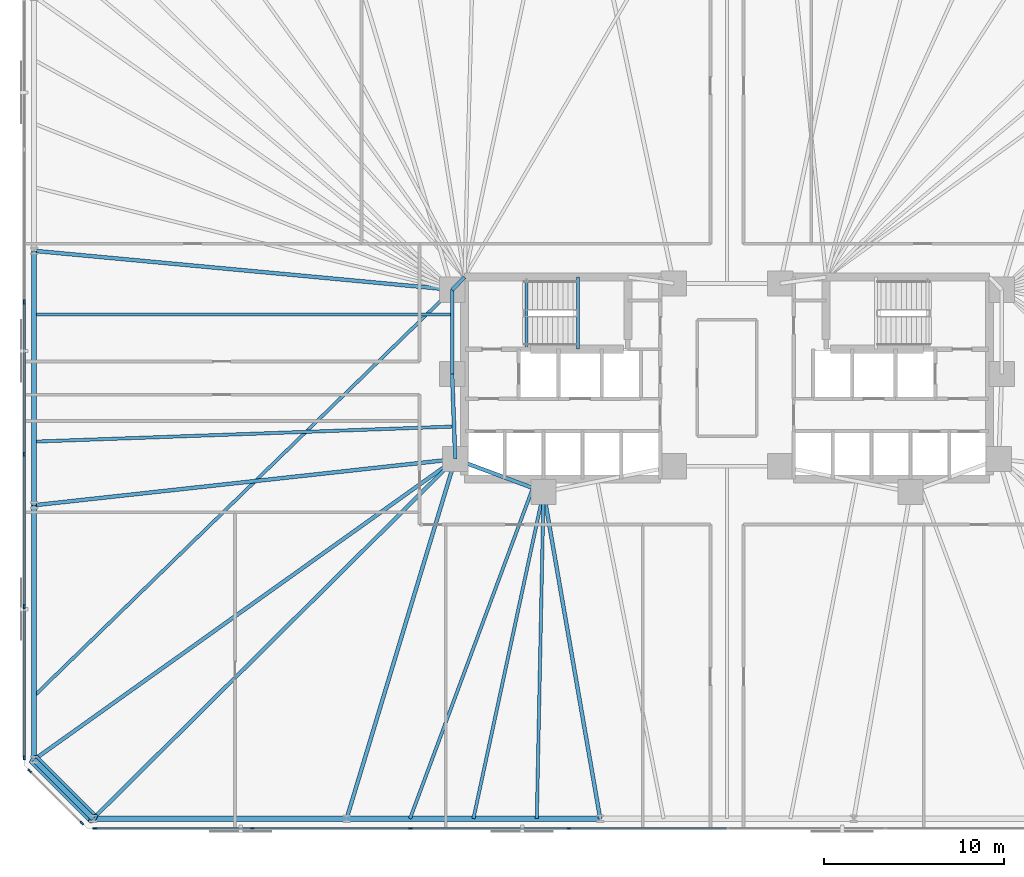
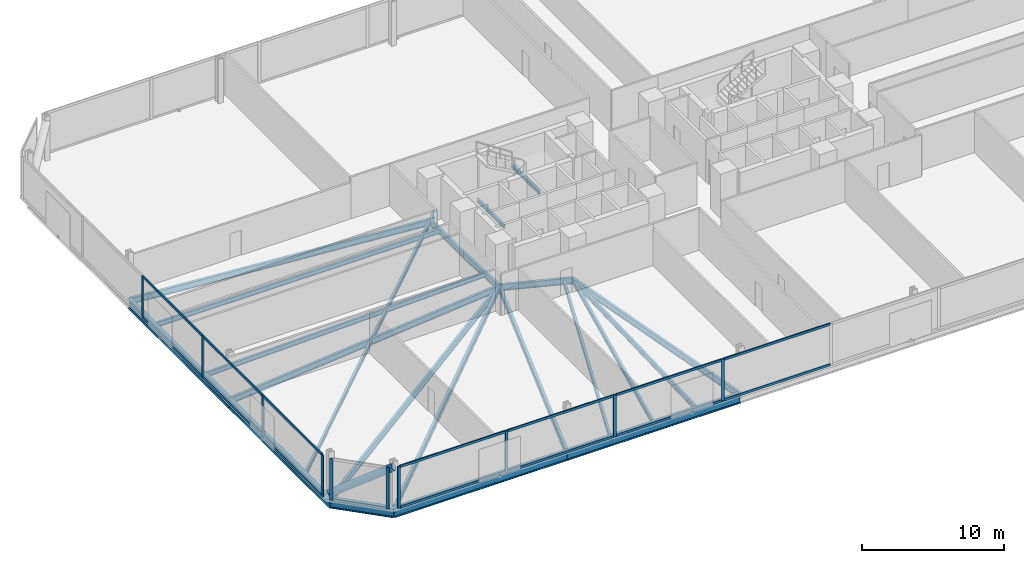
# One storey, part 6 of 17: 25 members, 23 beams, 3 elements without a shape of their own.
"""IFC4 building model written with IfcOpenShell, lengths in metres."""

from ifc_helpers import new_model, si_unit, direction, frame, origin, origin_2d, place, context, subcontext, project, spatial, rectangle, hollow_circle, i_section, extrude, material, material_profile, profile_set, type_object, element, aggregate, save


model = new_model("IFC4")

# Units and contexts
model_context = context("Model", 3, precision=1e-05, world=origin(), true_north=direction((0.0, 1.0)))
body_context = subcontext(model_context, "Body", "Model", "MODEL_VIEW")
ifc_project = project(units=[si_unit("LENGTHUNIT", "METRE"), si_unit("AREAUNIT", "SQUARE_METRE"), si_unit("VOLUMEUNIT", "CUBIC_METRE"), si_unit("PLANEANGLEUNIT", "RADIAN"), si_unit("MASSUNIT", "GRAM", prefix="KILO")], contexts=[model_context])

# Site, building, storey
site_placement = place(None, origin())
site = spatial("IfcSite", under=ifc_project, at=site_placement, CompositionType="ELEMENT")
building_placement = place(site_placement, origin())
building = spatial("IfcBuilding", under=site, at=building_placement, Name="Menara Jurai Vektor", CompositionType="ELEMENT")
storey_placement = place(building_placement, frame((0.0, 0.0, 29.39990234375)))
storey = spatial("IfcBuildingStorey", under=building, at=storey_placement, Name="L06", CompositionType="ELEMENT", Elevation=29.39990234375)

# Curtain wall, members
ifc_material_1 = material(Name="Anodised Pale Aluminium & Low-E Double Glazing", Category="aluminium")
curtain_wall_type = type_object("IfcCurtainWallType", Name="CW-BLK1", PredefinedType="NOTDEFINED", material=ifc_material_1)
curtain_wall_1_placement = place(storey_placement, origin())
curtain_wall_1 = element("IfcCurtainWall", 1, at=curtain_wall_1_placement, inside=storey, type_object=curtain_wall_type, Name="Unitised Curtain Wall L06 F01", PredefinedType="NOTDEFINED")
ifc_material_2 = material(Name="Anodised Pale Aluminium Mullion", Category="aluminium")
ifc_material_profile_1 = material_profile(ifc_material_2, rectangle(XDim=0.094970703125, YDim=0.239990234375, at=origin_2d()), Name="ALU MUL 95x240")
ifc_profile_set_1 = profile_set([ifc_material_profile_1], Name="Anodised Pale Aluminium Mullion")
member_type_1 = type_object("IfcMemberType", Name="CW-BLK1-MUL", PredefinedType="MULLION", material=ifc_profile_set_1)
member_1_placement = place(storey_placement, frame((-35.072509765625, -25.0, 0.0), z_axis=(0.0, 0.0, 1.0), x_axis=(0.0, 1.0, 0.0)))
member_1 = element("IfcMember", 2, at=member_1_placement, type_object=member_type_1, Name="CW-01 mullion 1", PredefinedType="MULLION", context=body_context, shape_type="SweptSolid", body=[
    extrude(rectangle(XDim=0.094970703125, YDim=0.239990234375, at=origin_2d()), origin(), (0.0, 0.0, 1.0), 3.5751953125),
])
member_2_placement = place(storey_placement, frame((-26.340087890625, -25.0, 0.0), z_axis=(0.0, 0.0, 1.0), x_axis=(0.0, 1.0, 0.0)))
member_2 = element("IfcMember", 3, at=member_2_placement, type_object=member_type_1, Name="CW-01 mullion 2", PredefinedType="MULLION", context=body_context, shape_type="SweptSolid", body=[
    extrude(rectangle(XDim=0.094970703125, YDim=0.239990234375, at=origin_2d()), origin(), (0.0, 0.0, 1.0), 3.5751953125),
])
member_3_placement = place(storey_placement, frame((-17.56005859375, -25.0, 0.0), z_axis=(0.0, 0.0, 1.0), x_axis=(0.0, 1.0, 0.0)))
member_3 = element("IfcMember", 4, at=member_3_placement, type_object=member_type_1, Name="CW-01 mullion 3", PredefinedType="MULLION", context=body_context, shape_type="SweptSolid", body=[
    extrude(rectangle(XDim=0.094970703125, YDim=0.239990234375, at=origin_2d()), origin(), (0.0, 0.0, 1.0), 3.5751953125),
])
member_4_placement = place(storey_placement, frame((-8.780029296875, -25.0, 0.0), z_axis=(0.0, 0.0, 1.0), x_axis=(0.0, 1.0, 0.0)))
member_4 = element("IfcMember", 5, at=member_4_placement, type_object=member_type_1, Name="CW-01 mullion 4", PredefinedType="MULLION", context=body_context, shape_type="SweptSolid", body=[
    extrude(rectangle(XDim=0.094970703125, YDim=0.239990234375, at=origin_2d()), origin(), (0.0, 0.0, 1.0), 3.5751953125),
])

curtain_wall_2_placement = place(storey_placement, origin())
curtain_wall_2 = element("IfcCurtainWall", 6, at=curtain_wall_2_placement, inside=storey, type_object=curtain_wall_type, Name="Unitised Curtain Wall L06 F07", PredefinedType="NOTDEFINED")
member_5_placement = place(storey_placement, frame((-39.0, 4.22412109375, 0.0), z_axis=(0.0, 0.0, 1.0), x_axis=(1.0, 0.0, 0.0)))
member_5 = element("IfcMember", 7, at=member_5_placement, type_object=member_type_1, Name="CW-01 mullion 3", PredefinedType="MULLION", context=body_context, shape_type="SweptSolid", body=[
    extrude(rectangle(XDim=0.094970703125, YDim=0.239990234375, at=origin_2d()), origin(), (0.0, 0.0, 1.0), 3.5751953125),
])
member_6_placement = place(storey_placement, frame((-39.0, -4.22412109375, 0.0), z_axis=(0.0, 0.0, 1.0), x_axis=(1.0, 0.0, 0.0)))
member_6 = element("IfcMember", 8, at=member_6_placement, type_object=member_type_1, Name="CW-01 mullion 4", PredefinedType="MULLION", context=body_context, shape_type="SweptSolid", body=[
    extrude(rectangle(XDim=0.094970703125, YDim=0.239990234375, at=origin_2d()), origin(), (0.0, 0.0, 1.0), 3.5751953125),
])
member_7_placement = place(storey_placement, frame((-39.0, -12.672119140625, 0.0), z_axis=(0.0, 0.0, 1.0), x_axis=(1.0, 0.0, 0.0)))
member_7 = element("IfcMember", 9, at=member_7_placement, type_object=member_type_1, Name="CW-01 mullion 5", PredefinedType="MULLION", context=body_context, shape_type="SweptSolid", body=[
    extrude(rectangle(XDim=0.094970703125, YDim=0.239990234375, at=origin_2d()), origin(), (0.0, 0.0, 1.0), 3.5751953125),
])
member_8_placement = place(storey_placement, frame((-39.0, -21.072509765625, 0.0), z_axis=(0.0, 0.0, 1.0), x_axis=(1.0, 0.0, 0.0)))
member_8 = element("IfcMember", 10, at=member_8_placement, type_object=member_type_1, Name="CW-01 mullion 6", PredefinedType="MULLION", context=body_context, shape_type="SweptSolid", body=[
    extrude(rectangle(XDim=0.094970703125, YDim=0.239990234375, at=origin_2d()), origin(), (0.0, 0.0, 1.0), 3.5751953125),
])

curtain_wall_3_placement = place(storey_placement, origin())
curtain_wall_3 = element("IfcCurtainWall", 11, at=curtain_wall_3_placement, inside=storey, type_object=curtain_wall_type, Name="Unitised Curtain Wall L06 F08", PredefinedType="NOTDEFINED")
member_9_placement = place(storey_placement, frame((-38.69775390625, -21.80224609375, 0.0), z_axis=(0.0, 0.0, 1.0), x_axis=(0.707106781187, 0.707106781187, 0.0)))
member_9 = element("IfcMember", 12, at=member_9_placement, type_object=member_type_1, Name="CW-01 mullion 1", PredefinedType="MULLION", context=body_context, shape_type="SweptSolid", body=[
    extrude(rectangle(XDim=0.094970703125, YDim=0.239990234375, at=origin_2d()), origin(), (0.0, 0.0, 1.0), 3.5751953125),
])
member_10_placement = place(storey_placement, frame((-35.80224609375, -24.69775390625, 0.0), z_axis=(0.0, 0.0, 1.0), x_axis=(0.707106781187, 0.707106781187, 0.0)))
member_10 = element("IfcMember", 13, at=member_10_placement, type_object=member_type_1, Name="CW-01 mullion 2", PredefinedType="MULLION", context=body_context, shape_type="SweptSolid", body=[
    extrude(rectangle(XDim=0.094970703125, YDim=0.239990234375, at=origin_2d()), origin(), (0.0, 0.0, 1.0), 3.5751953125),
])
aggregate(curtain_wall_3, [member_9, member_10])

# Member
ifc_material_3 = material(Name="Anodised Pale Aluminium Transom", Category="aluminium")
ifc_material_profile_2 = material_profile(ifc_material_3, rectangle(XDim=0.094970703125, YDim=0.199951171875, at=origin_2d()), Name="ALU TRN 95x200")
ifc_profile_set_2 = profile_set([ifc_material_profile_2], Name="Anodised Pale Aluminium Transom")
member_type_2 = type_object("IfcMemberType", Name="CW-BLK1-TRN", PredefinedType="USERDEFINED", material=ifc_profile_set_2)
member_11_placement = place(storey_placement, frame((-35.02490234375, -25.0, 0.047607421875), z_axis=(1.0, 0.0, 0.0), x_axis=(0.0, 1.0, 0.0)))
member_11 = element("IfcMember", 14, at=member_11_placement, type_object=member_type_2, Name="CW-01 transom 1.1", ObjectType="TRANSOM", PredefinedType="USERDEFINED", context=body_context, shape_type="SweptSolid", body=[
    extrude(rectangle(XDim=0.094970703125, YDim=0.199951171875, at=origin_2d()), origin(), (0.0, 0.0, 1.0), 8.637451171875),
])

member_12_placement = place(storey_placement, frame((-35.02490234375, -25.0, 3.527587890625), z_axis=(1.0, 0.0, 0.0), x_axis=(0.0, 1.0, 0.0)))
member_12 = element("IfcMember", 15, at=member_12_placement, type_object=member_type_2, Name="CW-01 transom 1.2", ObjectType="TRANSOM", PredefinedType="USERDEFINED", context=body_context, shape_type="SweptSolid", body=[
    extrude(rectangle(XDim=0.094970703125, YDim=0.199951171875, at=origin_2d()), origin(), (0.0, 0.0, 1.0), 8.637451171875),
])

member_13_placement = place(storey_placement, frame((-26.29248046875, -25.0, 0.047607421875), z_axis=(1.0, 0.0, 0.0), x_axis=(0.0, 1.0, 0.0)))
member_13 = element("IfcMember", 16, at=member_13_placement, type_object=member_type_2, Name="CW-01 transom 2.1", ObjectType="TRANSOM", PredefinedType="USERDEFINED", context=body_context, shape_type="SweptSolid", body=[
    extrude(rectangle(XDim=0.094970703125, YDim=0.199951171875, at=origin_2d()), origin(), (0.0, 0.0, 1.0), 8.68505859375),
])

member_14_placement = place(storey_placement, frame((-26.29248046875, -25.0, 3.527587890625), z_axis=(1.0, 0.0, 0.0), x_axis=(0.0, 1.0, 0.0)))
member_14 = element("IfcMember", 17, at=member_14_placement, type_object=member_type_2, Name="CW-01 transom 2.2", ObjectType="TRANSOM", PredefinedType="USERDEFINED", context=body_context, shape_type="SweptSolid", body=[
    extrude(rectangle(XDim=0.094970703125, YDim=0.199951171875, at=origin_2d()), origin(), (0.0, 0.0, 1.0), 8.68505859375),
])

member_15_placement = place(storey_placement, frame((-17.512451171875, -25.0, 0.047607421875), z_axis=(1.0, 0.0, 0.0), x_axis=(0.0, 1.0, 0.0)))
member_15 = element("IfcMember", 18, at=member_15_placement, type_object=member_type_2, Name="CW-01 transom 3.1", ObjectType="TRANSOM", PredefinedType="USERDEFINED", context=body_context, shape_type="SweptSolid", body=[
    extrude(rectangle(XDim=0.094970703125, YDim=0.199951171875, at=origin_2d()), origin(), (0.0, 0.0, 1.0), 8.68505859375),
])

member_16_placement = place(storey_placement, frame((-17.512451171875, -25.0, 3.527587890625), z_axis=(1.0, 0.0, 0.0), x_axis=(0.0, 1.0, 0.0)))
member_16 = element("IfcMember", 19, at=member_16_placement, type_object=member_type_2, Name="CW-01 transom 3.2", ObjectType="TRANSOM", PredefinedType="USERDEFINED", context=body_context, shape_type="SweptSolid", body=[
    extrude(rectangle(XDim=0.094970703125, YDim=0.199951171875, at=origin_2d()), origin(), (0.0, 0.0, 1.0), 8.68505859375),
])

member_17_placement = place(storey_placement, frame((-8.732421875, -25.0, 0.047607421875), z_axis=(1.0, 0.0, 0.0), x_axis=(0.0, 1.0, 0.0)))
member_17 = element("IfcMember", 20, at=member_17_placement, type_object=member_type_2, Name="CW-01 transom 4.1", ObjectType="TRANSOM", PredefinedType="USERDEFINED", context=body_context, shape_type="SweptSolid", body=[
    extrude(rectangle(XDim=0.094970703125, YDim=0.199951171875, at=origin_2d()), origin(), (0.0, 0.0, 1.0), 8.684814453125),
])

member_18_placement = place(storey_placement, frame((-8.732421875, -25.0, 3.527587890625), z_axis=(1.0, 0.0, 0.0), x_axis=(0.0, 1.0, 0.0)))
member_18 = element("IfcMember", 21, at=member_18_placement, type_object=member_type_2, Name="CW-01 transom 4.2", ObjectType="TRANSOM", PredefinedType="USERDEFINED", context=body_context, shape_type="SweptSolid", body=[
    extrude(rectangle(XDim=0.094970703125, YDim=0.199951171875, at=origin_2d()), origin(), (0.0, 0.0, 1.0), 8.684814453125),
])

aggregate(curtain_wall_1, [member_1, member_2, member_3, member_4, member_11, member_12, member_13, member_14, member_15, member_16, member_17, member_18])

member_19_placement = place(storey_placement, frame((-39.0, 4.176513671875, 0.047607421875), z_axis=(0.0, -1.0, 0.0), x_axis=(1.0, 0.0, 0.0)))
member_19 = element("IfcMember", 22, at=member_19_placement, type_object=member_type_2, Name="CW-01 transom 3.1", ObjectType="TRANSOM", PredefinedType="USERDEFINED", context=body_context, shape_type="SweptSolid", body=[
    extrude(rectangle(XDim=0.094970703125, YDim=0.199951171875, at=origin_2d()), origin(), (0.0, 0.0, 1.0), 8.35302734375),
])

member_20_placement = place(storey_placement, frame((-39.0, 4.176513671875, 3.527587890625), z_axis=(0.0, -1.0, 0.0), x_axis=(1.0, 0.0, 0.0)))
member_20 = element("IfcMember", 23, at=member_20_placement, type_object=member_type_2, Name="CW-01 transom 3.2", ObjectType="TRANSOM", PredefinedType="USERDEFINED", context=body_context, shape_type="SweptSolid", body=[
    extrude(rectangle(XDim=0.094970703125, YDim=0.199951171875, at=origin_2d()), origin(), (0.0, 0.0, 1.0), 8.35302734375),
])

member_21_placement = place(storey_placement, frame((-39.0, -4.271484375, 0.047607421875), z_axis=(0.0, -1.0, 0.0), x_axis=(1.0, 0.0, 0.0)))
member_21 = element("IfcMember", 24, at=member_21_placement, type_object=member_type_2, Name="CW-01 transom 4.1", ObjectType="TRANSOM", PredefinedType="USERDEFINED", context=body_context, shape_type="SweptSolid", body=[
    extrude(rectangle(XDim=0.094970703125, YDim=0.199951171875, at=origin_2d()), origin(), (0.0, 0.0, 1.0), 8.35302734375),
])

member_22_placement = place(storey_placement, frame((-39.0, -4.271484375, 3.527587890625), z_axis=(0.0, -1.0, 0.0), x_axis=(1.0, 0.0, 0.0)))
member_22 = element("IfcMember", 25, at=member_22_placement, type_object=member_type_2, Name="CW-01 transom 4.2", ObjectType="TRANSOM", PredefinedType="USERDEFINED", context=body_context, shape_type="SweptSolid", body=[
    extrude(rectangle(XDim=0.094970703125, YDim=0.199951171875, at=origin_2d()), origin(), (0.0, 0.0, 1.0), 8.35302734375),
])

member_23_placement = place(storey_placement, frame((-39.0, -12.719482421875, 0.047607421875), z_axis=(0.0, -1.0, 0.0), x_axis=(1.0, 0.0, 0.0)))
member_23 = element("IfcMember", 26, at=member_23_placement, type_object=member_type_2, Name="CW-01 transom 5.1", ObjectType="TRANSOM", PredefinedType="USERDEFINED", context=body_context, shape_type="SweptSolid", body=[
    extrude(rectangle(XDim=0.094970703125, YDim=0.199951171875, at=origin_2d()), origin(), (0.0, 0.0, 1.0), 8.305419921875),
])

member_24_placement = place(storey_placement, frame((-39.0, -12.719482421875, 3.527587890625), z_axis=(0.0, -1.0, 0.0), x_axis=(1.0, 0.0, 0.0)))
member_24 = element("IfcMember", 27, at=member_24_placement, type_object=member_type_2, Name="CW-01 transom 5.2", ObjectType="TRANSOM", PredefinedType="USERDEFINED", context=body_context, shape_type="SweptSolid", body=[
    extrude(rectangle(XDim=0.094970703125, YDim=0.199951171875, at=origin_2d()), origin(), (0.0, 0.0, 1.0), 8.305419921875),
])

aggregate(curtain_wall_2, [member_5, member_6, member_7, member_8, member_19, member_20, member_21, member_22, member_23, member_24])

# Beams
ifc_material_4 = material(Name="Steel S355", Category="steel")
ifc_material_profile_3 = material_profile(ifc_material_4, i_section(OverallWidth=0.2109375, OverallDepth=0.5390625, WebThickness=0.011962890625, FlangeThickness=0.01904296875, FilletRadius=0.012939453125, at=origin_2d()), Name="UKB 533x210x109")
ifc_profile_set_3 = profile_set([ifc_material_profile_3], Name="Steel S355")
beam_type_1 = type_object("IfcBeamType", Name="STR-BM-533", PredefinedType="BEAM", material=ifc_profile_set_3)
beam_1_placement = place(storey_placement, frame((-15.25, 4.89990234375, -0.494384765625), z_axis=(0.701871936926, 0.712303154672, 0.0), x_axis=(-0.712303154672, 0.701871936926, 0.0)))
element("IfcBeam", 28, at=beam_1_placement, inside=storey, type_object=beam_type_1, Name="Core Ring Header Girder L06-CHW-N1", PredefinedType="BEAM", context=body_context, shape_type="SweptSolid", body=[
    extrude(i_section(OverallWidth=0.2109375, OverallDepth=0.5390625, WebThickness=0.011962890625, FlangeThickness=0.01904296875, FilletRadius=0.012939453125, at=origin_2d()), origin(), (0.0, 0.0, 1.0), 0.98291015625),
])
beam_2_placement = place(storey_placement, frame((-15.25, 0.219970703125, -0.494384765625), z_axis=(0.0, 1.0, 0.0), x_axis=(-1.0, 0.0, 0.0)))
element("IfcBeam", 29, at=beam_2_placement, inside=storey, type_object=beam_type_1, Name="Core Ring Header Girder L06-CHW-W1", PredefinedType="BEAM", context=body_context, shape_type="SweptSolid", body=[
    extrude(i_section(OverallWidth=0.2109375, OverallDepth=0.5390625, WebThickness=0.011962890625, FlangeThickness=0.01904296875, FilletRadius=0.012939453125, at=origin_2d()), origin(), (0.0, 0.0, 1.0), 4.679931640625),
])
beam_3_placement = place(storey_placement, frame((-15.080078125, -4.5, -0.494384765625), z_axis=(-0.035977314146, 0.999352606874, 0.0), x_axis=(-0.999352606874, -0.035977314146, 0.0)))
element("IfcBeam", 30, at=beam_3_placement, inside=storey, type_object=beam_type_1, Name="Core Ring Header Girder L06-CHW-W2", PredefinedType="BEAM", context=body_context, shape_type="SweptSolid", body=[
    extrude(i_section(OverallWidth=0.2109375, OverallDepth=0.5390625, WebThickness=0.011962890625, FlangeThickness=0.01904296875, FilletRadius=0.012939453125, at=origin_2d()), origin(), (0.0, 0.0, 1.0), 4.72314453125),
])
beam_4_placement = place(storey_placement, frame((-15.080078125, -4.5, -0.494384765625), z_axis=(0.937424400887, -0.348188874925, 0.0), x_axis=(0.348188874925, 0.937424400887, 0.0)))
element("IfcBeam", 31, at=beam_4_placement, inside=storey, type_object=beam_type_1, Name="Core Ring Header Girder L06-CHW-S1", PredefinedType="BEAM", context=body_context, shape_type="SweptSolid", body=[
    extrude(i_section(OverallWidth=0.2109375, OverallDepth=0.5390625, WebThickness=0.011962890625, FlangeThickness=0.01904296875, FilletRadius=0.012939453125, at=origin_2d()), origin(), (0.0, 0.0, 1.0), 5.227294921875),
])
beam_5_placement = place(storey_placement, frame((-35.177734375, -24.449951171875, -0.494384765625), z_axis=(0.709709931659, 0.704494011972, 0.0), x_axis=(-0.704494011972, 0.709709931659, 0.0)))
element("IfcBeam", 32, at=beam_5_placement, inside=storey, type_object=beam_type_1, Name="Radial Floor Girder L06-S1", PredefinedType="BEAM", context=body_context, shape_type="SweptSolid", body=[
    extrude(i_section(OverallWidth=0.2109375, OverallDepth=0.5390625, WebThickness=0.011962890625, FlangeThickness=0.01904296875, FilletRadius=0.012939453125, at=origin_2d()), origin(), (0.0, 0.0, 1.0), 28.318115234375),
])
beam_6_placement = place(storey_placement, frame((-21.106689453125, -24.449951171875, -0.494384765625), z_axis=(0.289179812203, 0.957274796604, 0.0), x_axis=(-0.957274796604, 0.289179812203, 0.0)))
element("IfcBeam", 33, at=beam_6_placement, inside=storey, type_object=beam_type_1, Name="Radial Floor Girder L06-S2", PredefinedType="BEAM", context=body_context, shape_type="SweptSolid", body=[
    extrude(i_section(OverallWidth=0.2109375, OverallDepth=0.5390625, WebThickness=0.011962890625, FlangeThickness=0.01904296875, FilletRadius=0.012939453125, at=origin_2d()), origin(), (0.0, 0.0, 1.0), 20.84033203125),
])
beam_7_placement = place(storey_placement, frame((-7.03564453125, -24.449951171875, -0.494384765625), z_axis=(-0.170880325642, 0.985291791455, 0.0), x_axis=(-0.985291791455, -0.170880325642, 0.0)))
element("IfcBeam", 34, at=beam_7_placement, inside=storey, type_object=beam_type_1, Name="Radial Floor Girder L06-S3", PredefinedType="BEAM", context=body_context, shape_type="SweptSolid", body=[
    extrude(i_section(OverallWidth=0.2109375, OverallDepth=0.5390625, WebThickness=0.011962890625, FlangeThickness=0.01904296875, FilletRadius=0.012939453125, at=origin_2d()), origin(), (0.0, 0.0, 1.0), 18.400634765625),
])
beam_8_placement = place(storey_placement, frame((-38.449951171875, 7.059326171875, -0.494384765625), z_axis=(0.995696113112, -0.092678208514, 0.0), x_axis=(0.092678208514, 0.995696113112, 0.0)))
element("IfcBeam", 35, at=beam_8_placement, inside=storey, type_object=beam_type_1, Name="Radial Floor Girder L06-W2", PredefinedType="BEAM", context=body_context, shape_type="SweptSolid", body=[
    extrude(i_section(OverallWidth=0.2109375, OverallDepth=0.5390625, WebThickness=0.011962890625, FlangeThickness=0.01904296875, FilletRadius=0.012939453125, at=origin_2d()), origin(), (0.0, 0.0, 1.0), 23.30029296875),
])
beam_9_placement = place(storey_placement, frame((-38.449951171875, -7.059326171875, -0.494384765625), z_axis=(0.994056757953, 0.108863042253, 0.0), x_axis=(-0.108863042253, 0.994056757953, 0.0)))
element("IfcBeam", 36, at=beam_9_placement, inside=storey, type_object=beam_type_1, Name="Radial Floor Girder L06-W3", PredefinedType="BEAM", context=body_context, shape_type="SweptSolid", body=[
    extrude(i_section(OverallWidth=0.2109375, OverallDepth=0.5390625, WebThickness=0.011962890625, FlangeThickness=0.01904296875, FilletRadius=0.012939453125, at=origin_2d()), origin(), (0.0, 0.0, 1.0), 23.509521484375),
])
beam_10_placement = place(storey_placement, frame((-38.449951171875, -21.177734375, -0.494384765625), z_axis=(0.813981033216, 0.580891450759, 0.0), x_axis=(-0.580891450759, 0.813981033216, 0.0)))
element("IfcBeam", 37, at=beam_10_placement, inside=storey, type_object=beam_type_1, Name="Radial Floor Girder L06-W4", PredefinedType="BEAM", context=body_context, shape_type="SweptSolid", body=[
    extrude(i_section(OverallWidth=0.2109375, OverallDepth=0.5390625, WebThickness=0.011962890625, FlangeThickness=0.01904296875, FilletRadius=0.012939453125, at=origin_2d()), origin(), (0.0, 0.0, 1.0), 28.710693359375),
])

# Member
ifc_material_5 = material(Name="Steel S460", Category="steel")
ifc_material_profile_4 = material_profile(ifc_material_5, hollow_circle(Radius=0.304931640625, WallThickness=0.02490234375, at=origin_2d()), Name="CHS 610x25")
ifc_profile_set_4 = profile_set([ifc_material_profile_4], Name="Steel S460")
member_type_3 = type_object("IfcMemberType", Name="STR-BR-610", PredefinedType="BRACE", material=ifc_profile_set_4)
member_25_placement = place(storey_placement, frame((-38.449951171875, -21.177734375, 0.150146484375), z_axis=(0.588942422958, -0.588942422958, 0.553438022619), x_axis=(0.707106781187, 0.707106781187, 0.0)))
element("IfcMember", 38, at=member_25_placement, inside=storey, type_object=member_type_3, Name="Exoskeleton Corner Brace L06-4", PredefinedType="BRACE", context=body_context, shape_type="SweptSolid", body=[
    extrude(hollow_circle(Radius=0.304931640625, WallThickness=0.02490234375, at=origin_2d()), origin(), (0.0, 0.0, 1.0), 5.55615234375),
])

# Beams
ifc_material_profile_5 = material_profile(ifc_material_4, i_section(OverallWidth=0.178955078125, OverallDepth=0.408935546875, WebThickness=0.009033203125, FlangeThickness=0.013916015625, FilletRadius=0.010009765625, at=origin_2d()), Name="UKB 406x178x67")
ifc_profile_set_5 = profile_set([ifc_material_profile_5], Name="Steel S355")
beam_type_2 = type_object("IfcBeamType", Name="STR-JS-406", PredefinedType="JOIST", material=ifc_profile_set_5)
beam_11_placement = place(storey_placement, frame((-17.5888671875, -24.449951171875, -0.429443359375), z_axis=(0.348179014223, 0.937428063403, 0.0), x_axis=(-0.937428063403, 0.348179014223, 0.0)))
element("IfcBeam", 39, at=beam_11_placement, inside=storey, type_object=beam_type_2, Name="Radial Secondary Floor Joist L06-JS01", PredefinedType="JOIST", context=body_context, shape_type="SweptSolid", body=[
    extrude(i_section(OverallWidth=0.178955078125, OverallDepth=0.408935546875, WebThickness=0.009033203125, FlangeThickness=0.013916015625, FilletRadius=0.010009765625, at=origin_2d()), origin(), (0.0, 0.0, 1.0), 19.5751953125),
])
beam_12_placement = place(storey_placement, frame((-14.071044921875, -24.449951171875, -0.429443359375), z_axis=(0.209845584412, 0.977734539997, 0.0), x_axis=(-0.977734539997, 0.209845584412, 0.0)))
element("IfcBeam", 40, at=beam_12_placement, inside=storey, type_object=beam_type_2, Name="Radial Secondary Floor Joist L06-JS02", PredefinedType="JOIST", context=body_context, shape_type="SweptSolid", body=[
    extrude(i_section(OverallWidth=0.178955078125, OverallDepth=0.408935546875, WebThickness=0.009033203125, FlangeThickness=0.013916015625, FilletRadius=0.010009765625, at=origin_2d()), origin(), (0.0, 0.0, 1.0), 18.542724609375),
])
beam_13_placement = place(storey_placement, frame((-10.55322265625, -24.449951171875, -0.429443359375), z_axis=(0.020585456509, 0.999788097039, 0.0), x_axis=(-0.999788097039, 0.020585456509, 0.0)))
element("IfcBeam", 41, at=beam_13_placement, inside=storey, type_object=beam_type_2, Name="Radial Secondary Floor Joist L06-JS03", PredefinedType="JOIST", context=body_context, shape_type="SweptSolid", body=[
    extrude(i_section(OverallWidth=0.178955078125, OverallDepth=0.408935546875, WebThickness=0.009033203125, FlangeThickness=0.013916015625, FilletRadius=0.010009765625, at=origin_2d()), origin(), (0.0, 0.0, 1.0), 18.1337890625),
])
beam_14_placement = place(storey_placement, frame((-38.449951171875, 3.529541015625, -0.429443359375), z_axis=(1.0, 0.0, 0.0), x_axis=(0.0, 1.0, 0.0)))
element("IfcBeam", 42, at=beam_14_placement, inside=storey, type_object=beam_type_2, Name="Radial Secondary Floor Joist L06-JS35", PredefinedType="JOIST", context=body_context, shape_type="SweptSolid", body=[
    extrude(i_section(OverallWidth=0.178955078125, OverallDepth=0.408935546875, WebThickness=0.009033203125, FlangeThickness=0.013916015625, FilletRadius=0.010009765625, at=origin_2d()), origin(), (0.0, 0.0, 1.0), 23.199951171875),
])
beam_15_placement = place(storey_placement, frame((-38.449951171875, -3.529541015625, -0.429443359375), z_axis=(0.999352032814, 0.035993256462, 0.0), x_axis=(-0.035993256462, 0.999352032814, 0.0)))
element("IfcBeam", 43, at=beam_15_placement, inside=storey, type_object=beam_type_2, Name="Radial Secondary Floor Joist L06-JS36", PredefinedType="JOIST", context=body_context, shape_type="SweptSolid", body=[
    extrude(i_section(OverallWidth=0.178955078125, OverallDepth=0.408935546875, WebThickness=0.009033203125, FlangeThickness=0.013916015625, FilletRadius=0.010009765625, at=origin_2d()), origin(), (0.0, 0.0, 1.0), 23.31982421875),
])
beam_16_placement = place(storey_placement, frame((-38.449951171875, -17.648193359375, -0.429443359375), z_axis=(0.71710942187, 0.696960599363, 0.0), x_axis=(-0.696960599363, 0.71710942187, 0.0)))
element("IfcBeam", 44, at=beam_16_placement, inside=storey, type_object=beam_type_2, Name="Radial Secondary Floor Joist L06-JS37", PredefinedType="JOIST", context=body_context, shape_type="SweptSolid", body=[
    extrude(i_section(OverallWidth=0.178955078125, OverallDepth=0.408935546875, WebThickness=0.009033203125, FlangeThickness=0.013916015625, FilletRadius=0.010009765625, at=origin_2d()), origin(), (0.0, 0.0, 1.0), 32.35205078125),
])
ifc_material_profile_6 = material_profile(ifc_material_4, i_section(OverallWidth=0.1650390625, OverallDepth=0.302978515625, WebThickness=0.006103515625, FlangeThickness=0.010009765625, FilletRadius=0.009033203125, at=origin_2d()), Name="UKB 305x165x40")
ifc_profile_set_6 = profile_set([ifc_material_profile_6], Name="Steel S355")
beam_type_3 = type_object("IfcBeamType", Name="STR-LN-305", PredefinedType="LINTEL", material=ifc_profile_set_6)
beam_17_placement = place(storey_placement, frame((-11.1201171875, 1.60009765625, -0.37646484375), z_axis=(0.0, 1.0, 0.0), x_axis=(-1.0, 0.0, 0.0)))
element("IfcBeam", 45, at=beam_17_placement, inside=storey, type_object=beam_type_3, Name="Stair Well Floor Trimmer ST1 L06", PredefinedType="LINTEL", context=body_context, shape_type="SweptSolid", body=[
    extrude(i_section(OverallWidth=0.1650390625, OverallDepth=0.302978515625, WebThickness=0.006103515625, FlangeThickness=0.010009765625, FilletRadius=0.009033203125, at=origin_2d()), origin(), (0.0, 0.0, 1.0), 3.81982421875),
])
beam_18_placement = place(storey_placement, frame((-8.27001953125, 1.60009765625, 1.548583984375), z_axis=(0.0, 1.0, 0.0), x_axis=(-1.0, 0.0, 0.0)))
element("IfcBeam", 46, at=beam_18_placement, inside=storey, type_object=beam_type_3, Name="Stair Half-Landing Nosing Trimmer ST1-1 L06", PredefinedType="LINTEL", context=body_context, shape_type="SweptSolid", body=[
    extrude(i_section(OverallWidth=0.1650390625, OverallDepth=0.302978515625, WebThickness=0.006103515625, FlangeThickness=0.010009765625, FilletRadius=0.009033203125, at=origin_2d()), origin(), (0.0, 0.0, 1.0), 4.0),
])
ifc_material_profile_7 = material_profile(ifc_material_5, i_section(OverallWidth=0.2939453125, OverallDepth=0.85107421875, WebThickness=0.01611328125, FlangeThickness=0.027099609375, FilletRadius=0.01806640625, at=origin_2d()), Name="UKB 838x292x226")
ifc_profile_set_7 = profile_set([ifc_material_profile_7], Name="Steel S460")
beam_type_4 = type_object("IfcBeamType", Name="STR-SP-838", PredefinedType="SPANDREL", material=ifc_profile_set_7)
for number, where, z_axis, x_axis, name in (
    (47, (-35.177734375, -24.449951171875, -0.650390625), (1.0, 0.0, 0.0), (0.0, 1.0, 0.0), "Exoskeleton Spandrel Beam L06-01"),
    (48, (-21.106689453125, -24.449951171875, -0.650390625), (1.0, 0.0, 0.0), (0.0, 1.0, 0.0), "Exoskeleton Spandrel Beam L06-02"),
):
    element("IfcBeam", number, at=place(storey_placement, frame(where, z_axis=z_axis, x_axis=x_axis)), inside=storey, type_object=beam_type_4, Name=name, PredefinedType="SPANDREL", context=body_context, shape_type="SweptSolid", body=[
        extrude(i_section(OverallWidth=0.2939453125, OverallDepth=0.85107421875, WebThickness=0.01611328125, FlangeThickness=0.027099609375, FilletRadius=0.01806640625, at=origin_2d()), origin(), (0.0, 0.0, 1.0), 14.071044921875),
    ])
beam_19_placement = place(storey_placement, frame((-38.449951171875, 7.059326171875, -0.650390625), z_axis=(0.0, -1.0, 0.0), x_axis=(1.0, 0.0, 0.0)))
element("IfcBeam", 49, at=beam_19_placement, inside=storey, type_object=beam_type_4, Name="Exoskeleton Spandrel Beam L06-18", PredefinedType="SPANDREL", context=body_context, shape_type="SweptSolid", body=[
    extrude(i_section(OverallWidth=0.2939453125, OverallDepth=0.85107421875, WebThickness=0.01611328125, FlangeThickness=0.027099609375, FilletRadius=0.01806640625, at=origin_2d()), origin(), (0.0, 0.0, 1.0), 14.11865234375),
])
beam_20_placement = place(storey_placement, frame((-38.449951171875, -7.059326171875, -0.650390625), z_axis=(0.0, -1.0, 0.0), x_axis=(1.0, 0.0, 0.0)))
element("IfcBeam", 50, at=beam_20_placement, inside=storey, type_object=beam_type_4, Name="Exoskeleton Spandrel Beam L06-19", PredefinedType="SPANDREL", context=body_context, shape_type="SweptSolid", body=[
    extrude(i_section(OverallWidth=0.2939453125, OverallDepth=0.85107421875, WebThickness=0.01611328125, FlangeThickness=0.027099609375, FilletRadius=0.01806640625, at=origin_2d()), origin(), (0.0, 0.0, 1.0), 14.118408203125),
])
beam_21_placement = place(storey_placement, frame((-38.449951171875, -21.177734375, -0.650390625), z_axis=(0.707106781187, -0.707106781187, 0.0), x_axis=(0.707106781187, 0.707106781187, 0.0)))
element("IfcBeam", 51, at=beam_21_placement, inside=storey, type_object=beam_type_4, Name="Exoskeleton Spandrel Beam L06-20", PredefinedType="SPANDREL", context=body_context, shape_type="SweptSolid", body=[
    extrude(i_section(OverallWidth=0.2939453125, OverallDepth=0.85107421875, WebThickness=0.01611328125, FlangeThickness=0.027099609375, FilletRadius=0.01806640625, at=origin_2d()), origin(), (0.0, 0.0, 1.0), 4.627685546875),
])

save(model, "model.ifc")
